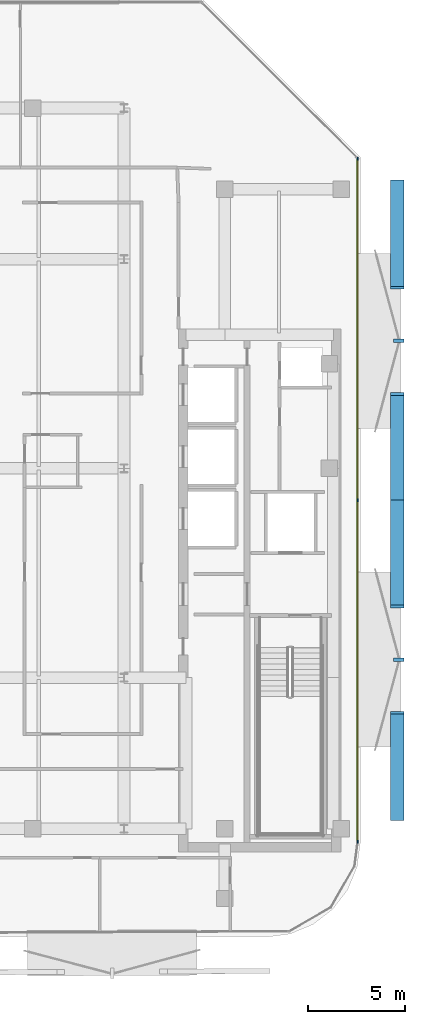
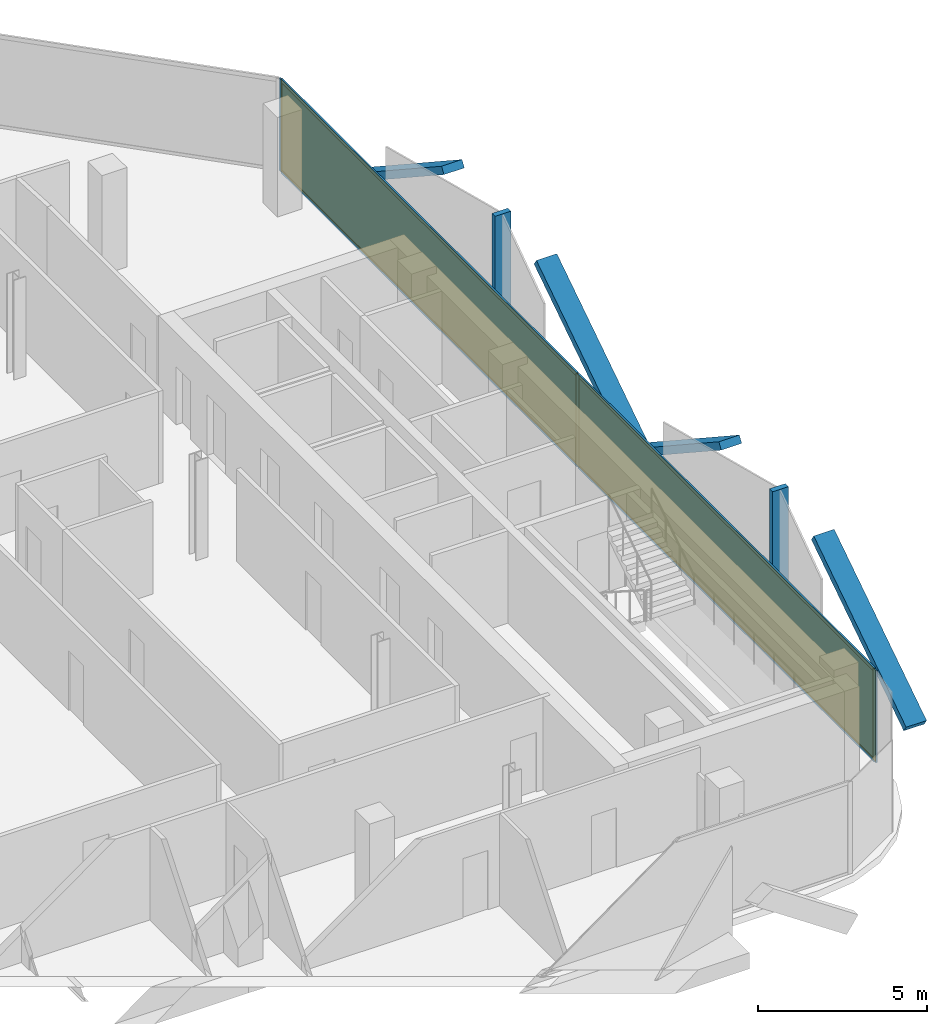
# One storey, part 9 of 15: 13 members, 2 plates, 1 curtain wall.
"""IFC4 building model written with IfcOpenShell, lengths in metres."""

from ifc_helpers import new_model, si_unit, direction, frame, frame_2d, origin, origin_2d, place, context, subcontext, project, spatial, rectangle, extrude, material, layer, layer_set, material_profile, profile_set, type_object, element, aggregate, save


model = new_model("IFC4")

# Units and contexts
model_context = context("Model", 3, precision=1e-05, world=origin(), true_north=direction((0.0, 1.0)))
body_context = subcontext(model_context, "Body", "Model", "MODEL_VIEW")
ifc_project = project(units=[si_unit("LENGTHUNIT", "METRE"), si_unit("AREAUNIT", "SQUARE_METRE"), si_unit("VOLUMEUNIT", "CUBIC_METRE"), si_unit("PLANEANGLEUNIT", "RADIAN"), si_unit("MASSUNIT", "GRAM", prefix="KILO")], contexts=[model_context])

# Member
ifc_material_1 = material(Name="Anodised Bronze Aluminium 6063-T6", Category="aluminium")
ifc_material_profile_1 = material_profile(ifc_material_1, rectangle(XDim=0.260009765625, YDim=0.699951171875, at=origin_2d()))
ifc_profile_set_1 = profile_set([ifc_material_profile_1], Name="Anodised Bronze Aluminium 6063-T6")
member_type_1 = type_object("IfcMemberType", Name="Bronze Diamond Solar-Screen Lattice Rib BDL-700", PredefinedType="MULLION", material=ifc_profile_set_1)
site_placement = place(None, origin())
building_placement = place(site_placement, origin())
storey_placement = place(building_placement, frame((0.0, 0.0, 265.60009765625)))
member_1_placement = place(storey_placement, frame((23.300048828125, 14.802001953125, -0.130126953125), z_axis=(0.0, -0.83587872144, 0.548914167283), x_axis=(0.0, -0.548914167283, -0.83587872144)))
member_1 = element("IfcMember", 1, at=member_1_placement, type_object=member_type_1, Name="L63 Bronze Diamond Solar Screen Lattice Rib 439A", PredefinedType="MULLION", context=body_context, shape_type="SweptSolid", body=[
    extrude(rectangle(XDim=0.260009765625, YDim=0.699951171875, at=origin_2d()), origin(), (0.0, 0.0, 1.0), 6.55859375),
])

member_2_placement = place(storey_placement, frame((23.300048828125, -1.644287109375, -0.130126953125), z_axis=(0.0, 0.835867504888, 0.548931247309), x_axis=(0.0, 0.548931247309, -0.835867504888)))
member_2 = element("IfcMember", 2, at=member_2_placement, type_object=member_type_1, Name="L63 Bronze Diamond Solar Screen Lattice Rib 439B", PredefinedType="MULLION", context=body_context, shape_type="SweptSolid", body=[
    extrude(rectangle(XDim=0.260009765625, YDim=0.699951171875, at=origin_2d()), origin(), (0.0, 0.0, 1.0), 6.558349609375),
])

member_3_placement = place(storey_placement, frame((23.300048828125, -1.644287109375, -0.130126953125), z_axis=(0.0, -0.83587872144, 0.548914167283), x_axis=(0.0, -0.548914167283, -0.83587872144)))
member_3 = element("IfcMember", 3, at=member_3_placement, type_object=member_type_1, Name="L63 Bronze Diamond Solar Screen Lattice Rib 440A", PredefinedType="MULLION", context=body_context, shape_type="SweptSolid", body=[
    extrude(rectangle(XDim=0.260009765625, YDim=0.699951171875, at=origin_2d()), origin(), (0.0, 0.0, 1.0), 6.55859375),
])

member_4_placement = place(storey_placement, frame((23.300048828125, -18.0908203125, -0.130126953125), z_axis=(0.0, 0.83587872144, 0.548914167283), x_axis=(0.0, 0.548914167283, -0.83587872144)))
member_4 = element("IfcMember", 4, at=member_4_placement, type_object=member_type_1, Name="L63 Bronze Diamond Solar Screen Lattice Rib 440B", PredefinedType="MULLION", context=body_context, shape_type="SweptSolid", body=[
    extrude(rectangle(XDim=0.260009765625, YDim=0.699951171875, at=origin_2d()), origin(), (0.0, 0.0, 1.0), 6.55859375),
])

ifc_material_2 = material(Name="Anodised Bronze Aluminium 6063-T6", Category="aluminium")
ifc_material_profile_2 = material_profile(ifc_material_2, rectangle(XDim=0.179931640625, YDim=0.5400390625, at=origin_2d()))
ifc_profile_set_2 = profile_set([ifc_material_profile_2], Name="Anodised Bronze Aluminium 6063-T6")
member_type_2 = type_object("IfcMemberType", Name="Bronze Solar-Screen Vertical Fold Fin BSF-540", PredefinedType="MULLION", material=ifc_profile_set_2)
member_5_placement = place(storey_placement, frame((23.3798828125, 6.578857421875, -0.130126953125), z_axis=(0.0, 0.0, 1.0), x_axis=(0.0, -1.0, 0.0)))
member_5 = element("IfcMember", 5, at=member_5_placement, type_object=member_type_2, Name="L63 Bronze Solar Screen Vertical Fin 439", PredefinedType="MULLION", context=body_context, shape_type="SweptSolid", body=[
    extrude(rectangle(XDim=0.179931640625, YDim=0.5400390625, at=origin_2d()), origin(), (0.0, 0.0, 1.0), 3.60009765625),
])

member_6_placement = place(storey_placement, frame((23.3798828125, -9.86767578125, -0.130126953125), z_axis=(0.0, 0.0, 1.0), x_axis=(0.0, -1.0, 0.0)))
member_6 = element("IfcMember", 6, at=member_6_placement, type_object=member_type_2, Name="L63 Bronze Solar Screen Vertical Fin 440", PredefinedType="MULLION", context=body_context, shape_type="SweptSolid", body=[
    extrude(rectangle(XDim=0.179931640625, YDim=0.5400390625, at=origin_2d()), origin(), (0.0, 0.0, 1.0), 3.60009765625),
])

ifc_material_3 = material(Name="Anodised Bronze Aluminium 6063-T6", Category="aluminium")
ifc_material_profile_3 = material_profile(ifc_material_3, rectangle(XDim=0.06005859375, YDim=0.159912109375, at=origin_2d()))
ifc_profile_set_3 = profile_set([ifc_material_profile_3], Name="Anodised Bronze Aluminium 6063-T6")
member_type_3 = type_object("IfcMemberType", Name="CW-Z4 Mullion 60x160", PredefinedType="MULLION", material=ifc_profile_set_3)
member_7_placement = place(storey_placement, frame((21.260009765625, 15.971923828125, 0.0), z_axis=(0.0, 0.0, 1.0), x_axis=(1.0, 0.0, 0.0)))
member_7 = element("IfcMember", 7, at=member_7_placement, type_object=member_type_3, Name="CW-Z4 mullion 1", PredefinedType="MULLION", context=body_context, shape_type="SweptSolid", body=[
    extrude(rectangle(XDim=0.06005859375, YDim=0.159912109375, at=origin_2d()), origin(), (0.0, 0.0, 1.0), 3.33984375),
])

member_8_placement = place(storey_placement, frame((21.260009765625, -1.644287109375, 0.0), z_axis=(0.0, 0.0, 1.0), x_axis=(1.0, 0.0, 0.0)))
member_8 = element("IfcMember", 8, at=member_8_placement, type_object=member_type_3, Name="CW-Z4 mullion 2", PredefinedType="MULLION", context=body_context, shape_type="SweptSolid", body=[
    extrude(rectangle(XDim=0.06005859375, YDim=0.159912109375, at=origin_2d()), origin(), (0.0, 0.0, 1.0), 3.33984375),
])

member_9_placement = place(storey_placement, frame((21.260009765625, -19.2607421875, 0.0), z_axis=(0.0, 0.0, 1.0), x_axis=(1.0, 0.0, 0.0)))
member_9 = element("IfcMember", 9, at=member_9_placement, type_object=member_type_3, Name="CW-Z4 mullion 3", PredefinedType="MULLION", context=body_context, shape_type="SweptSolid", body=[
    extrude(rectangle(XDim=0.06005859375, YDim=0.159912109375, at=origin_2d()), origin(), (0.0, 0.0, 1.0), 3.33984375),
])

ifc_material_4 = material(Name="Anodised Bronze Aluminium 6063-T6", Category="aluminium")
ifc_material_profile_4 = material_profile(ifc_material_4, rectangle(XDim=0.06005859375, YDim=0.125, at=origin_2d()))
ifc_profile_set_4 = profile_set([ifc_material_profile_4], Name="Anodised Bronze Aluminium 6063-T6")
member_type_4 = type_object("IfcMemberType", Name="CW-Z4 Transom 60x125", PredefinedType="USERDEFINED", material=ifc_profile_set_4)
member_10_placement = place(storey_placement, frame((21.260009765625, 15.94189453125, 0.02978515625), z_axis=(0.0, -1.0, 0.0), x_axis=(1.0, 0.0, 0.0)))
member_10 = element("IfcMember", 10, at=member_10_placement, type_object=member_type_4, Name="CW-Z4 transom 1.1", ObjectType="TRANSOM", PredefinedType="USERDEFINED", context=body_context, shape_type="SweptSolid", body=[
    extrude(rectangle(XDim=0.06005859375, YDim=0.125, at=origin_2d()), origin(), (0.0, 0.0, 1.0), 17.556396484375),
])

member_11_placement = place(storey_placement, frame((21.260009765625, 15.94189453125, 3.309814453125), z_axis=(0.0, -1.0, 0.0), x_axis=(1.0, 0.0, 0.0)))
member_11 = element("IfcMember", 11, at=member_11_placement, type_object=member_type_4, Name="CW-Z4 transom 1.2", ObjectType="TRANSOM", PredefinedType="USERDEFINED", context=body_context, shape_type="SweptSolid", body=[
    extrude(rectangle(XDim=0.06005859375, YDim=0.125, at=origin_2d()), origin(), (0.0, 0.0, 1.0), 17.556396484375),
])

member_12_placement = place(storey_placement, frame((21.260009765625, -1.67431640625, 0.02978515625), z_axis=(0.0, -1.0, 0.0), x_axis=(1.0, 0.0, 0.0)))
member_12 = element("IfcMember", 12, at=member_12_placement, type_object=member_type_4, Name="CW-Z4 transom 2.1", ObjectType="TRANSOM", PredefinedType="USERDEFINED", context=body_context, shape_type="SweptSolid", body=[
    extrude(rectangle(XDim=0.06005859375, YDim=0.125, at=origin_2d()), origin(), (0.0, 0.0, 1.0), 17.556396484375),
])

member_13_placement = place(storey_placement, frame((21.260009765625, -1.67431640625, 3.309814453125), z_axis=(0.0, -1.0, 0.0), x_axis=(1.0, 0.0, 0.0)))
member_13 = element("IfcMember", 13, at=member_13_placement, type_object=member_type_4, Name="CW-Z4 transom 2.2", ObjectType="TRANSOM", PredefinedType="USERDEFINED", context=body_context, shape_type="SweptSolid", body=[
    extrude(rectangle(XDim=0.06005859375, YDim=0.125, at=origin_2d()), origin(), (0.0, 0.0, 1.0), 17.556396484375),
])

# Plate
ifc_material_5 = material(Name="Low-E Solar Control Laminated Glass", Category="glass")
ifc_layer_1 = layer(ifc_material_5, 0.030029296875, Name="Low-E Solar Control Laminated Glass")
ifc_layer_set_1 = layer_set([ifc_layer_1], Name="Low-E Solar Control Laminated Glass")
plate_type = type_object("IfcPlateType", Name="CW-Z4 Low-E Double Glazed Panel 30mm", PredefinedType="CURTAIN_PANEL", material=ifc_layer_set_1)
plate_1_placement = place(storey_placement, frame((21.260009765625, 7.163818359375, 0.06005859375), z_axis=(0.0, 0.0, 1.0), x_axis=(0.0, -1.0, 0.0)))
plate_1 = element("IfcPlate", 14, at=plate_1_placement, type_object=plate_type, Name="CW-Z4 panel 1.1", PredefinedType="CURTAIN_PANEL", context=body_context, shape_type="SweptSolid", body=[
    extrude(rectangle(XDim=17.556396484375, YDim=0.030029296875, at=origin_2d()), origin(), (0.0, 0.0, 1.0), 3.219970703125),
])

plate_2_placement = place(storey_placement, frame((21.260009765625, -10.45263671875, 0.06005859375), z_axis=(0.0, 0.0, 1.0), x_axis=(0.0, -1.0, 0.0)))
plate_2 = element("IfcPlate", 15, at=plate_2_placement, type_object=plate_type, Name="CW-Z4 panel 2.1", PredefinedType="CURTAIN_PANEL", context=body_context, shape_type="SweptSolid", body=[
    extrude(rectangle(XDim=17.556396484375, YDim=0.030029296875, at=origin_2d()), origin(), (0.0, 0.0, 1.0), 3.219970703125),
])

# Site, building, storey
site = spatial("IfcSite", under=ifc_project, at=site_placement, CompositionType="ELEMENT")
building = spatial("IfcBuilding", under=site, at=building_placement, Name="Khairoan Windgate Tower", CompositionType="ELEMENT")
storey = spatial("IfcBuildingStorey", under=building, at=storey_placement, Name="L63", CompositionType="ELEMENT", Elevation=265.60009765625)

# Curtain wall
ifc_material_6 = material(Name="Anodised Bronze Aluminium 6063-T6", Category="aluminium")
ifc_layer_2 = layer(ifc_material_6, 0.159912109375, Name="Anodised Bronze Aluminium 6063-T6")
ifc_layer_set_2 = layer_set([ifc_layer_2], Name="Anodised Bronze Aluminium 6063-T6")
curtain_wall_type = type_object("IfcCurtainWallType", Name="Sky Residence Unitised Curtain Wall CW-Z4", PredefinedType="NOTDEFINED", material=ifc_layer_set_2)
curtain_wall_placement = place(storey_placement, frame((21.260009765625, 16.001953125, 0.0), z_axis=(0.0, 0.0, 1.0), x_axis=(0.0, -1.0, 0.0)))
curtain_wall = element("IfcCurtainWall", 16, at=curtain_wall_placement, inside=storey, type_object=curtain_wall_type, Name="L63 Unitised Curtain Wall 11", PredefinedType="NOTDEFINED", context=body_context, shape_type="SweptSolid", body=[
    extrude(rectangle(XDim=35.292724609375, YDim=0.010009765625, at=frame_2d((17.646484375, 0.0))), origin(), (0.0, 0.0, 1.0), 3.33984375),
])

aggregate(curtain_wall, [member_7, member_8, member_9, member_10, member_11, plate_1, member_12, member_13, plate_2, member_1, member_2, member_5, member_3, member_4, member_6])

save(model, "model.ifc")
